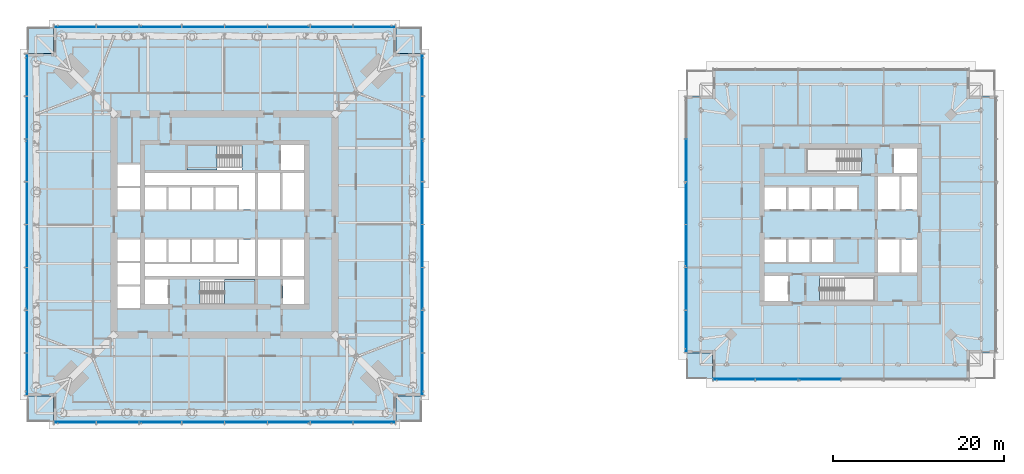
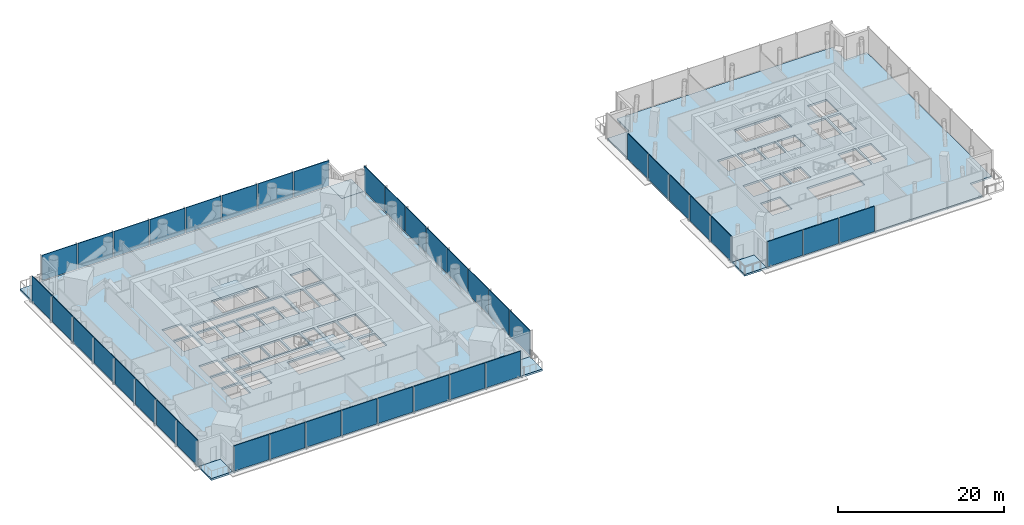
# One storey, part 8 of 28: 40 plates, 9 slabs, 8 elements without a shape of their own.
"""IFC4 building model written with IfcOpenShell, lengths in metres."""

from ifc_helpers import new_model, si_unit, direction, frame, origin, origin_2d, place, context, subcontext, project, spatial, polyline, rectangle, outline, extrude, material, layer, layer_set, type_object, element, aggregate, save


model = new_model("IFC4")

# Units and contexts
model_context = context("Model", 3, precision=1e-05, world=origin(), true_north=direction((0.0, 1.0)))
body_context = subcontext(model_context, "Body", "Model", "MODEL_VIEW")
ifc_project = project(units=[si_unit("LENGTHUNIT", "METRE"), si_unit("AREAUNIT", "SQUARE_METRE"), si_unit("VOLUMEUNIT", "CUBIC_METRE"), si_unit("PLANEANGLEUNIT", "RADIAN"), si_unit("MASSUNIT", "GRAM", prefix="KILO")], contexts=[model_context])

# Site, building, storey
site_placement = place(None, origin())
site = spatial("IfcSite", under=ifc_project, at=site_placement, CompositionType="ELEMENT")
building_placement = place(site_placement, origin())
building = spatial("IfcBuilding", under=site, at=building_placement, Name="Ostroluk Exchange", CompositionType="ELEMENT")
storey_placement = place(building_placement, frame((0.0, 0.0, 81.800048828125)))
storey = spatial("IfcBuildingStorey", under=building, at=storey_placement, Name="L20", CompositionType="ELEMENT", Elevation=81.800048828125)

# Curtain wall, plates
ifc_material_1 = material(Name="Laminated clear glass", Category="glass")
curtain_wall_type_1 = type_object("IfcCurtainWallType", Name="Office tower plant and sky lobby facade", PredefinedType="USERDEFINED", material=ifc_material_1)
curtain_wall_1_placement = place(storey_placement, origin())
curtain_wall_1 = element("IfcCurtainWall", 1, at=curtain_wall_1_placement, inside=storey, type_object=curtain_wall_type_1, Name="Office tower south facade L20", ObjectType="LOUVRED CURTAIN WALL", PredefinedType="USERDEFINED")
ifc_material_2 = material(Name="Aluminium louvre", Category="aluminium")
ifc_layer_1 = layer(ifc_material_2, 0.10009765625)
ifc_layer_set_1 = layer_set([ifc_layer_1], Name="Aluminium louvre panel 100")
plate_type = type_object("IfcPlateType", Name="Aluminium louvre panel 100", PredefinedType="USERDEFINED", material=ifc_layer_set_1)
plate_1_placement = place(storey_placement, frame((27.52001953125, 22.925048828125, 0.080078125), z_axis=(0.0, 0.0, 1.0), x_axis=(1.0, 0.0, 0.0)))
plate_1 = element("IfcPlate", 2, at=plate_1_placement, type_object=plate_type, Name="CW-P1 panel 1.1", ObjectType="LOUVRE PANEL", PredefinedType="USERDEFINED", context=body_context, shape_type="SweptSolid", body=[
    extrude(rectangle(XDim=4.8798828125, YDim=0.10009765625, at=origin_2d()), origin(), (0.0, 0.0, 1.0), 3.719970703125),
])
plate_2_placement = place(storey_placement, frame((32.5, 22.925048828125, 0.080078125), z_axis=(0.0, 0.0, 1.0), x_axis=(1.0, 0.0, 0.0)))
plate_2 = element("IfcPlate", 3, at=plate_2_placement, type_object=plate_type, Name="CW-P1 panel 2.1", ObjectType="LOUVRE PANEL", PredefinedType="USERDEFINED", context=body_context, shape_type="SweptSolid", body=[
    extrude(rectangle(XDim=4.919921875, YDim=0.10009765625, at=origin_2d()), origin(), (0.0, 0.0, 1.0), 3.719970703125),
])
plate_3_placement = place(storey_placement, frame((37.5, 22.925048828125, 0.080078125), z_axis=(0.0, 0.0, 1.0), x_axis=(1.0, 0.0, 0.0)))
plate_3 = element("IfcPlate", 4, at=plate_3_placement, type_object=plate_type, Name="CW-P1 panel 3.1", ObjectType="LOUVRE PANEL", PredefinedType="USERDEFINED", context=body_context, shape_type="SweptSolid", body=[
    extrude(rectangle(XDim=4.919921875, YDim=0.10009765625, at=origin_2d()), origin(), (0.0, 0.0, 1.0), 3.719970703125),
])
plate_4_placement = place(storey_placement, frame((42.5, 22.925048828125, 0.080078125), z_axis=(0.0, 0.0, 1.0), x_axis=(1.0, 0.0, 0.0)))
plate_4 = element("IfcPlate", 5, at=plate_4_placement, type_object=plate_type, Name="CW-P1 panel 4.1", ObjectType="LOUVRE PANEL", PredefinedType="USERDEFINED", context=body_context, shape_type="SweptSolid", body=[
    extrude(rectangle(XDim=4.919921875, YDim=0.10009765625, at=origin_2d()), origin(), (0.0, 0.0, 1.0), 3.719970703125),
])
plate_5_placement = place(storey_placement, frame((47.5, 22.925048828125, 0.080078125), z_axis=(0.0, 0.0, 1.0), x_axis=(1.0, 0.0, 0.0)))
plate_5 = element("IfcPlate", 6, at=plate_5_placement, type_object=plate_type, Name="CW-P1 panel 5.1", ObjectType="LOUVRE PANEL", PredefinedType="USERDEFINED", context=body_context, shape_type="SweptSolid", body=[
    extrude(rectangle(XDim=4.919921875, YDim=0.10009765625, at=origin_2d()), origin(), (0.0, 0.0, 1.0), 3.719970703125),
])
plate_6_placement = place(storey_placement, frame((52.5, 22.925048828125, 0.080078125), z_axis=(0.0, 0.0, 1.0), x_axis=(1.0, 0.0, 0.0)))
plate_6 = element("IfcPlate", 7, at=plate_6_placement, type_object=plate_type, Name="CW-P1 panel 6.1", ObjectType="LOUVRE PANEL", PredefinedType="USERDEFINED", context=body_context, shape_type="SweptSolid", body=[
    extrude(rectangle(XDim=4.919921875, YDim=0.10009765625, at=origin_2d()), origin(), (0.0, 0.0, 1.0), 3.719970703125),
])
plate_7_placement = place(storey_placement, frame((57.5, 22.925048828125, 0.080078125), z_axis=(0.0, 0.0, 1.0), x_axis=(1.0, 0.0, 0.0)))
plate_7 = element("IfcPlate", 8, at=plate_7_placement, type_object=plate_type, Name="CW-P1 panel 7.1", ObjectType="LOUVRE PANEL", PredefinedType="USERDEFINED", context=body_context, shape_type="SweptSolid", body=[
    extrude(rectangle(XDim=4.919921875, YDim=0.10009765625, at=origin_2d()), origin(), (0.0, 0.0, 1.0), 3.719970703125),
])
plate_8_placement = place(storey_placement, frame((62.47998046875, 22.925048828125, 0.080078125), z_axis=(0.0, 0.0, 1.0), x_axis=(1.0, 0.0, 0.0)))
plate_8 = element("IfcPlate", 9, at=plate_8_placement, type_object=plate_type, Name="CW-P1 panel 8.1", ObjectType="LOUVRE PANEL", PredefinedType="USERDEFINED", context=body_context, shape_type="SweptSolid", body=[
    extrude(rectangle(XDim=4.8798828125, YDim=0.10009765625, at=origin_2d()), origin(), (0.0, 0.0, 1.0), 3.719970703125),
])
aggregate(curtain_wall_1, [plate_1, plate_2, plate_3, plate_4, plate_5, plate_6, plate_7, plate_8])

curtain_wall_2_placement = place(storey_placement, origin())
curtain_wall_2 = element("IfcCurtainWall", 10, at=curtain_wall_2_placement, inside=storey, type_object=curtain_wall_type_1, Name="Office tower east facade L20", ObjectType="LOUVRED CURTAIN WALL", PredefinedType="USERDEFINED")
plate_9_placement = place(storey_placement, frame((68.074951171875, 28.52001953125, 0.080078125), z_axis=(0.0, 0.0, 1.0), x_axis=(0.0, 1.0, 0.0)))
plate_9 = element("IfcPlate", 11, at=plate_9_placement, type_object=plate_type, Name="CW-P1 panel 1.1", ObjectType="LOUVRE PANEL", PredefinedType="USERDEFINED", context=body_context, shape_type="SweptSolid", body=[
    extrude(rectangle(XDim=4.8798828125, YDim=0.10009765625, at=origin_2d()), origin(), (0.0, 0.0, 1.0), 3.719970703125),
])
plate_10_placement = place(storey_placement, frame((68.074951171875, 33.5, 0.080078125), z_axis=(0.0, 0.0, 1.0), x_axis=(0.0, 1.0, 0.0)))
plate_10 = element("IfcPlate", 12, at=plate_10_placement, type_object=plate_type, Name="CW-P1 panel 2.1", ObjectType="LOUVRE PANEL", PredefinedType="USERDEFINED", context=body_context, shape_type="SweptSolid", body=[
    extrude(rectangle(XDim=4.919921875, YDim=0.10009765625, at=origin_2d()), origin(), (0.0, 0.0, 1.0), 3.719970703125),
])
plate_11_placement = place(storey_placement, frame((68.074951171875, 38.5, 0.080078125), z_axis=(0.0, 0.0, 1.0), x_axis=(0.0, 1.0, 0.0)))
plate_11 = element("IfcPlate", 13, at=plate_11_placement, type_object=plate_type, Name="CW-P1 panel 3.1", ObjectType="LOUVRE PANEL", PredefinedType="USERDEFINED", context=body_context, shape_type="SweptSolid", body=[
    extrude(rectangle(XDim=4.919921875, YDim=0.10009765625, at=origin_2d()), origin(), (0.0, 0.0, 1.0), 3.719970703125),
])
plate_12_placement = place(storey_placement, frame((68.074951171875, 43.5, 0.080078125), z_axis=(0.0, 0.0, 1.0), x_axis=(0.0, 1.0, 0.0)))
plate_12 = element("IfcPlate", 14, at=plate_12_placement, type_object=plate_type, Name="CW-P1 panel 4.1", ObjectType="LOUVRE PANEL", PredefinedType="USERDEFINED", context=body_context, shape_type="SweptSolid", body=[
    extrude(rectangle(XDim=4.919921875, YDim=0.10009765625, at=origin_2d()), origin(), (0.0, 0.0, 1.0), 3.719970703125),
])
plate_13_placement = place(storey_placement, frame((68.074951171875, 48.5, 0.080078125), z_axis=(0.0, 0.0, 1.0), x_axis=(0.0, 1.0, 0.0)))
plate_13 = element("IfcPlate", 15, at=plate_13_placement, type_object=plate_type, Name="CW-P1 panel 5.1", ObjectType="LOUVRE PANEL", PredefinedType="USERDEFINED", context=body_context, shape_type="SweptSolid", body=[
    extrude(rectangle(XDim=4.919921875, YDim=0.10009765625, at=origin_2d()), origin(), (0.0, 0.0, 1.0), 3.719970703125),
])
plate_14_placement = place(storey_placement, frame((68.074951171875, 53.5, 0.080078125), z_axis=(0.0, 0.0, 1.0), x_axis=(0.0, 1.0, 0.0)))
plate_14 = element("IfcPlate", 16, at=plate_14_placement, type_object=plate_type, Name="CW-P1 panel 6.1", ObjectType="LOUVRE PANEL", PredefinedType="USERDEFINED", context=body_context, shape_type="SweptSolid", body=[
    extrude(rectangle(XDim=4.919921875, YDim=0.10009765625, at=origin_2d()), origin(), (0.0, 0.0, 1.0), 3.719970703125),
])
plate_15_placement = place(storey_placement, frame((68.074951171875, 58.5, 0.080078125), z_axis=(0.0, 0.0, 1.0), x_axis=(0.0, 1.0, 0.0)))
plate_15 = element("IfcPlate", 17, at=plate_15_placement, type_object=plate_type, Name="CW-P1 panel 7.1", ObjectType="LOUVRE PANEL", PredefinedType="USERDEFINED", context=body_context, shape_type="SweptSolid", body=[
    extrude(rectangle(XDim=4.919921875, YDim=0.10009765625, at=origin_2d()), origin(), (0.0, 0.0, 1.0), 3.719970703125),
])
plate_16_placement = place(storey_placement, frame((68.074951171875, 63.47998046875, 0.080078125), z_axis=(0.0, 0.0, 1.0), x_axis=(0.0, 1.0, 0.0)))
plate_16 = element("IfcPlate", 18, at=plate_16_placement, type_object=plate_type, Name="CW-P1 panel 8.1", ObjectType="LOUVRE PANEL", PredefinedType="USERDEFINED", context=body_context, shape_type="SweptSolid", body=[
    extrude(rectangle(XDim=4.8798828125, YDim=0.10009765625, at=origin_2d()), origin(), (0.0, 0.0, 1.0), 3.719970703125),
])
aggregate(curtain_wall_2, [plate_9, plate_10, plate_11, plate_12, plate_13, plate_14, plate_15, plate_16])

curtain_wall_3_placement = place(storey_placement, origin())
curtain_wall_3 = element("IfcCurtainWall", 19, at=curtain_wall_3_placement, inside=storey, type_object=curtain_wall_type_1, Name="Office tower north facade L20", ObjectType="LOUVRED CURTAIN WALL", PredefinedType="USERDEFINED")
plate_17_placement = place(storey_placement, frame((62.47998046875, 69.074951171875, 0.080078125), z_axis=(0.0, 0.0, 1.0), x_axis=(-1.0, 0.0, 0.0)))
plate_17 = element("IfcPlate", 20, at=plate_17_placement, type_object=plate_type, Name="CW-P1 panel 1.1", ObjectType="LOUVRE PANEL", PredefinedType="USERDEFINED", context=body_context, shape_type="SweptSolid", body=[
    extrude(rectangle(XDim=4.8798828125, YDim=0.10009765625, at=origin_2d()), origin(), (0.0, 0.0, 1.0), 3.719970703125),
])
plate_18_placement = place(storey_placement, frame((57.5, 69.074951171875, 0.080078125), z_axis=(0.0, 0.0, 1.0), x_axis=(-1.0, 0.0, 0.0)))
plate_18 = element("IfcPlate", 21, at=plate_18_placement, type_object=plate_type, Name="CW-P1 panel 2.1", ObjectType="LOUVRE PANEL", PredefinedType="USERDEFINED", context=body_context, shape_type="SweptSolid", body=[
    extrude(rectangle(XDim=4.919921875, YDim=0.10009765625, at=origin_2d()), origin(), (0.0, 0.0, 1.0), 3.719970703125),
])
plate_19_placement = place(storey_placement, frame((52.5, 69.074951171875, 0.080078125), z_axis=(0.0, 0.0, 1.0), x_axis=(-1.0, 0.0, 0.0)))
plate_19 = element("IfcPlate", 22, at=plate_19_placement, type_object=plate_type, Name="CW-P1 panel 3.1", ObjectType="LOUVRE PANEL", PredefinedType="USERDEFINED", context=body_context, shape_type="SweptSolid", body=[
    extrude(rectangle(XDim=4.919921875, YDim=0.10009765625, at=origin_2d()), origin(), (0.0, 0.0, 1.0), 3.719970703125),
])
plate_20_placement = place(storey_placement, frame((47.5, 69.074951171875, 0.080078125), z_axis=(0.0, 0.0, 1.0), x_axis=(-1.0, 0.0, 0.0)))
plate_20 = element("IfcPlate", 23, at=plate_20_placement, type_object=plate_type, Name="CW-P1 panel 4.1", ObjectType="LOUVRE PANEL", PredefinedType="USERDEFINED", context=body_context, shape_type="SweptSolid", body=[
    extrude(rectangle(XDim=4.919921875, YDim=0.10009765625, at=origin_2d()), origin(), (0.0, 0.0, 1.0), 3.719970703125),
])
plate_21_placement = place(storey_placement, frame((42.5, 69.074951171875, 0.080078125), z_axis=(0.0, 0.0, 1.0), x_axis=(-1.0, 0.0, 0.0)))
plate_21 = element("IfcPlate", 24, at=plate_21_placement, type_object=plate_type, Name="CW-P1 panel 5.1", ObjectType="LOUVRE PANEL", PredefinedType="USERDEFINED", context=body_context, shape_type="SweptSolid", body=[
    extrude(rectangle(XDim=4.919921875, YDim=0.10009765625, at=origin_2d()), origin(), (0.0, 0.0, 1.0), 3.719970703125),
])
plate_22_placement = place(storey_placement, frame((37.5, 69.074951171875, 0.080078125), z_axis=(0.0, 0.0, 1.0), x_axis=(-1.0, 0.0, 0.0)))
plate_22 = element("IfcPlate", 25, at=plate_22_placement, type_object=plate_type, Name="CW-P1 panel 6.1", ObjectType="LOUVRE PANEL", PredefinedType="USERDEFINED", context=body_context, shape_type="SweptSolid", body=[
    extrude(rectangle(XDim=4.919921875, YDim=0.10009765625, at=origin_2d()), origin(), (0.0, 0.0, 1.0), 3.719970703125),
])
plate_23_placement = place(storey_placement, frame((32.5, 69.074951171875, 0.080078125), z_axis=(0.0, 0.0, 1.0), x_axis=(-1.0, 0.0, 0.0)))
plate_23 = element("IfcPlate", 26, at=plate_23_placement, type_object=plate_type, Name="CW-P1 panel 7.1", ObjectType="LOUVRE PANEL", PredefinedType="USERDEFINED", context=body_context, shape_type="SweptSolid", body=[
    extrude(rectangle(XDim=4.919921875, YDim=0.10009765625, at=origin_2d()), origin(), (0.0, 0.0, 1.0), 3.719970703125),
])
plate_24_placement = place(storey_placement, frame((27.52001953125, 69.074951171875, 0.080078125), z_axis=(0.0, 0.0, 1.0), x_axis=(-1.0, 0.0, 0.0)))
plate_24 = element("IfcPlate", 27, at=plate_24_placement, type_object=plate_type, Name="CW-P1 panel 8.1", ObjectType="LOUVRE PANEL", PredefinedType="USERDEFINED", context=body_context, shape_type="SweptSolid", body=[
    extrude(rectangle(XDim=4.8798828125, YDim=0.10009765625, at=origin_2d()), origin(), (0.0, 0.0, 1.0), 3.719970703125),
])
aggregate(curtain_wall_3, [plate_17, plate_18, plate_19, plate_20, plate_21, plate_22, plate_23, plate_24])

curtain_wall_4_placement = place(storey_placement, origin())
curtain_wall_4 = element("IfcCurtainWall", 28, at=curtain_wall_4_placement, inside=storey, type_object=curtain_wall_type_1, Name="Office tower west facade L20", ObjectType="LOUVRED CURTAIN WALL", PredefinedType="USERDEFINED")
plate_25_placement = place(storey_placement, frame((21.925048828125, 63.47998046875, 0.080078125), z_axis=(0.0, 0.0, 1.0), x_axis=(0.0, -1.0, 0.0)))
plate_25 = element("IfcPlate", 29, at=plate_25_placement, type_object=plate_type, Name="CW-P1 panel 1.1", ObjectType="LOUVRE PANEL", PredefinedType="USERDEFINED", context=body_context, shape_type="SweptSolid", body=[
    extrude(rectangle(XDim=4.8798828125, YDim=0.10009765625, at=origin_2d()), origin(), (0.0, 0.0, 1.0), 3.719970703125),
])
plate_26_placement = place(storey_placement, frame((21.925048828125, 58.5, 0.080078125), z_axis=(0.0, 0.0, 1.0), x_axis=(0.0, -1.0, 0.0)))
plate_26 = element("IfcPlate", 30, at=plate_26_placement, type_object=plate_type, Name="CW-P1 panel 2.1", ObjectType="LOUVRE PANEL", PredefinedType="USERDEFINED", context=body_context, shape_type="SweptSolid", body=[
    extrude(rectangle(XDim=4.919921875, YDim=0.10009765625, at=origin_2d()), origin(), (0.0, 0.0, 1.0), 3.719970703125),
])
plate_27_placement = place(storey_placement, frame((21.925048828125, 53.5, 0.080078125), z_axis=(0.0, 0.0, 1.0), x_axis=(0.0, -1.0, 0.0)))
plate_27 = element("IfcPlate", 31, at=plate_27_placement, type_object=plate_type, Name="CW-P1 panel 3.1", ObjectType="LOUVRE PANEL", PredefinedType="USERDEFINED", context=body_context, shape_type="SweptSolid", body=[
    extrude(rectangle(XDim=4.919921875, YDim=0.10009765625, at=origin_2d()), origin(), (0.0, 0.0, 1.0), 3.719970703125),
])
plate_28_placement = place(storey_placement, frame((21.925048828125, 48.5, 0.080078125), z_axis=(0.0, 0.0, 1.0), x_axis=(0.0, -1.0, 0.0)))
plate_28 = element("IfcPlate", 32, at=plate_28_placement, type_object=plate_type, Name="CW-P1 panel 4.1", ObjectType="LOUVRE PANEL", PredefinedType="USERDEFINED", context=body_context, shape_type="SweptSolid", body=[
    extrude(rectangle(XDim=4.919921875, YDim=0.10009765625, at=origin_2d()), origin(), (0.0, 0.0, 1.0), 3.719970703125),
])
plate_29_placement = place(storey_placement, frame((21.925048828125, 43.5, 0.080078125), z_axis=(0.0, 0.0, 1.0), x_axis=(0.0, -1.0, 0.0)))
plate_29 = element("IfcPlate", 33, at=plate_29_placement, type_object=plate_type, Name="CW-P1 panel 5.1", ObjectType="LOUVRE PANEL", PredefinedType="USERDEFINED", context=body_context, shape_type="SweptSolid", body=[
    extrude(rectangle(XDim=4.919921875, YDim=0.10009765625, at=origin_2d()), origin(), (0.0, 0.0, 1.0), 3.719970703125),
])
plate_30_placement = place(storey_placement, frame((21.925048828125, 38.5, 0.080078125), z_axis=(0.0, 0.0, 1.0), x_axis=(0.0, -1.0, 0.0)))
plate_30 = element("IfcPlate", 34, at=plate_30_placement, type_object=plate_type, Name="CW-P1 panel 6.1", ObjectType="LOUVRE PANEL", PredefinedType="USERDEFINED", context=body_context, shape_type="SweptSolid", body=[
    extrude(rectangle(XDim=4.919921875, YDim=0.10009765625, at=origin_2d()), origin(), (0.0, 0.0, 1.0), 3.719970703125),
])
plate_31_placement = place(storey_placement, frame((21.925048828125, 33.5, 0.080078125), z_axis=(0.0, 0.0, 1.0), x_axis=(0.0, -1.0, 0.0)))
plate_31 = element("IfcPlate", 35, at=plate_31_placement, type_object=plate_type, Name="CW-P1 panel 7.1", ObjectType="LOUVRE PANEL", PredefinedType="USERDEFINED", context=body_context, shape_type="SweptSolid", body=[
    extrude(rectangle(XDim=4.919921875, YDim=0.10009765625, at=origin_2d()), origin(), (0.0, 0.0, 1.0), 3.719970703125),
])
plate_32_placement = place(storey_placement, frame((21.925048828125, 28.52001953125, 0.080078125), z_axis=(0.0, 0.0, 1.0), x_axis=(0.0, -1.0, 0.0)))
plate_32 = element("IfcPlate", 36, at=plate_32_placement, type_object=plate_type, Name="CW-P1 panel 8.1", ObjectType="LOUVRE PANEL", PredefinedType="USERDEFINED", context=body_context, shape_type="SweptSolid", body=[
    extrude(rectangle(XDim=4.8798828125, YDim=0.10009765625, at=origin_2d()), origin(), (0.0, 0.0, 1.0), 3.719970703125),
])
aggregate(curtain_wall_4, [plate_25, plate_26, plate_27, plate_28, plate_29, plate_30, plate_31, plate_32])

ifc_material_3 = material(Name="Laminated clear glass", Category="glass")
curtain_wall_type_2 = type_object("IfcCurtainWallType", Name="Hotel amenity and plant facade", PredefinedType="USERDEFINED", material=ifc_material_3)
curtain_wall_5_placement = place(storey_placement, origin())
curtain_wall_5 = element("IfcCurtainWall", 37, at=curtain_wall_5_placement, inside=storey, type_object=curtain_wall_type_2, Name="Hotel tower south facade L20", ObjectType="LOUVRED CURTAIN WALL", PredefinedType="USERDEFINED")
plate_33_placement = place(storey_placement, frame((104.52001953125, 27.925048828125, 0.080078125), z_axis=(0.0, 0.0, 1.0), x_axis=(1.0, 0.0, 0.0)))
plate_33 = element("IfcPlate", 38, at=plate_33_placement, type_object=plate_type, Name="CW-H2 panel 1.1", ObjectType="LOUVRE PANEL", PredefinedType="USERDEFINED", context=body_context, shape_type="SweptSolid", body=[
    extrude(rectangle(XDim=4.8798828125, YDim=0.10009765625, at=origin_2d()), origin(), (0.0, 0.0, 1.0), 3.719970703125),
])
plate_34_placement = place(storey_placement, frame((109.5, 27.925048828125, 0.080078125), z_axis=(0.0, 0.0, 1.0), x_axis=(1.0, 0.0, 0.0)))
plate_34 = element("IfcPlate", 39, at=plate_34_placement, type_object=plate_type, Name="CW-H2 panel 2.1", ObjectType="LOUVRE PANEL", PredefinedType="USERDEFINED", context=body_context, shape_type="SweptSolid", body=[
    extrude(rectangle(XDim=4.919921875, YDim=0.10009765625, at=origin_2d()), origin(), (0.0, 0.0, 1.0), 3.719970703125),
])
plate_35_placement = place(storey_placement, frame((114.5, 27.925048828125, 0.080078125), z_axis=(0.0, 0.0, 1.0), x_axis=(1.0, 0.0, 0.0)))
plate_35 = element("IfcPlate", 40, at=plate_35_placement, type_object=plate_type, Name="CW-H2 panel 3.1", ObjectType="LOUVRE PANEL", PredefinedType="USERDEFINED", context=body_context, shape_type="SweptSolid", body=[
    extrude(rectangle(XDim=4.919921875, YDim=0.10009765625, at=origin_2d()), origin(), (0.0, 0.0, 1.0), 3.719970703125),
])
aggregate(curtain_wall_5, [plate_33, plate_34, plate_35])

curtain_wall_6_placement = place(storey_placement, origin())
curtain_wall_6 = element("IfcCurtainWall", 41, at=curtain_wall_6_placement, inside=storey, type_object=curtain_wall_type_2, Name="Hotel tower west facade L20", ObjectType="LOUVRED CURTAIN WALL", PredefinedType="USERDEFINED")
plate_36_placement = place(storey_placement, frame((98.925048828125, 53.5, 0.080078125), z_axis=(0.0, 0.0, 1.0), x_axis=(0.0, -1.0, 0.0)))
plate_36 = element("IfcPlate", 42, at=plate_36_placement, type_object=plate_type, Name="CW-H2 panel 2.1", ObjectType="LOUVRE PANEL", PredefinedType="USERDEFINED", context=body_context, shape_type="SweptSolid", body=[
    extrude(rectangle(XDim=4.919921875, YDim=0.10009765625, at=origin_2d()), origin(), (0.0, 0.0, 1.0), 3.719970703125),
])
plate_37_placement = place(storey_placement, frame((98.925048828125, 48.5, 0.080078125), z_axis=(0.0, 0.0, 1.0), x_axis=(0.0, -1.0, 0.0)))
plate_37 = element("IfcPlate", 43, at=plate_37_placement, type_object=plate_type, Name="CW-H2 panel 3.1", ObjectType="LOUVRE PANEL", PredefinedType="USERDEFINED", context=body_context, shape_type="SweptSolid", body=[
    extrude(rectangle(XDim=4.919921875, YDim=0.10009765625, at=origin_2d()), origin(), (0.0, 0.0, 1.0), 3.719970703125),
])
plate_38_placement = place(storey_placement, frame((98.925048828125, 43.5, 0.080078125), z_axis=(0.0, 0.0, 1.0), x_axis=(0.0, -1.0, 0.0)))
plate_38 = element("IfcPlate", 44, at=plate_38_placement, type_object=plate_type, Name="CW-H2 panel 4.1", ObjectType="LOUVRE PANEL", PredefinedType="USERDEFINED", context=body_context, shape_type="SweptSolid", body=[
    extrude(rectangle(XDim=4.919921875, YDim=0.10009765625, at=origin_2d()), origin(), (0.0, 0.0, 1.0), 3.719970703125),
])
plate_39_placement = place(storey_placement, frame((98.925048828125, 38.5, 0.080078125), z_axis=(0.0, 0.0, 1.0), x_axis=(0.0, -1.0, 0.0)))
plate_39 = element("IfcPlate", 45, at=plate_39_placement, type_object=plate_type, Name="CW-H2 panel 5.1", ObjectType="LOUVRE PANEL", PredefinedType="USERDEFINED", context=body_context, shape_type="SweptSolid", body=[
    extrude(rectangle(XDim=4.919921875, YDim=0.10009765625, at=origin_2d()), origin(), (0.0, 0.0, 1.0), 3.719970703125),
])
plate_40_placement = place(storey_placement, frame((98.925048828125, 33.52001953125, 0.080078125), z_axis=(0.0, 0.0, 1.0), x_axis=(0.0, -1.0, 0.0)))
plate_40 = element("IfcPlate", 46, at=plate_40_placement, type_object=plate_type, Name="CW-H2 panel 6.1", ObjectType="LOUVRE PANEL", PredefinedType="USERDEFINED", context=body_context, shape_type="SweptSolid", body=[
    extrude(rectangle(XDim=4.8798828125, YDim=0.10009765625, at=origin_2d()), origin(), (0.0, 0.0, 1.0), 3.719970703125),
])
aggregate(curtain_wall_6, [plate_36, plate_37, plate_38, plate_39, plate_40])

# Slabs
ifc_material_4 = material(Name="Concrete C35/45", Category="concrete")
ifc_layer_2 = layer(ifc_material_4, 0.280029296875)
ifc_layer_set_2 = layer_set([ifc_layer_2], Name="Maintenance platform slab 280")
slab_type_1 = type_object("IfcSlabType", Name="Maintenance platform slab 280", PredefinedType="USERDEFINED", material=ifc_layer_set_2)
slab_1_placement = place(storey_placement, frame((0.0, 0.0, -0.280029296875)))
element("IfcSlab", 47, at=slab_1_placement, inside=storey, type_object=slab_type_1, Name="Office tower SE maintenance platform L20", ObjectType="MAINTENANCE PLATFORM", PredefinedType="USERDEFINED", context=body_context, shape_type="SweptSolid", body=[
    extrude(outline(polyline([(65.0, 23.0), (68.0, 23.0), (68.0, 26.0), (65.0, 26.0), (65.0, 23.0)])), origin(), (0.0, 0.0, 1.0), 0.280029296875),
])
slab_2_placement = place(storey_placement, frame((0.0, 0.0, -0.280029296875)))
element("IfcSlab", 48, at=slab_2_placement, inside=storey, type_object=slab_type_1, Name="Office tower NE maintenance platform L20", ObjectType="MAINTENANCE PLATFORM", PredefinedType="USERDEFINED", context=body_context, shape_type="SweptSolid", body=[
    extrude(outline(polyline([(65.0, 66.0), (68.0, 66.0), (68.0, 69.0), (65.0, 69.0), (65.0, 66.0)])), origin(), (0.0, 0.0, 1.0), 0.280029296875),
])
slab_3_placement = place(storey_placement, frame((0.0, 0.0, -0.280029296875)))
element("IfcSlab", 49, at=slab_3_placement, inside=storey, type_object=slab_type_1, Name="Office tower NW maintenance platform L20", ObjectType="MAINTENANCE PLATFORM", PredefinedType="USERDEFINED", context=body_context, shape_type="SweptSolid", body=[
    extrude(outline(polyline([(22.0, 66.0), (25.0, 66.0), (25.0, 69.0), (22.0, 69.0), (22.0, 66.0)])), origin(), (0.0, 0.0, 1.0), 0.280029296875),
])
slab_4_placement = place(storey_placement, frame((0.0, 0.0, -0.280029296875)))
element("IfcSlab", 50, at=slab_4_placement, inside=storey, type_object=slab_type_1, Name="Office tower SW maintenance platform L20", ObjectType="MAINTENANCE PLATFORM", PredefinedType="USERDEFINED", context=body_context, shape_type="SweptSolid", body=[
    extrude(outline(polyline([(22.0, 23.0), (25.0, 23.0), (25.0, 26.0), (22.0, 26.0), (22.0, 23.0)])), origin(), (0.0, 0.0, 1.0), 0.280029296875),
])
slab_5_placement = place(storey_placement, frame((0.0, 0.0, -0.280029296875)))
element("IfcSlab", 51, at=slab_5_placement, inside=storey, type_object=slab_type_1, Name="Hotel tower SW maintenance platform L20", ObjectType="MAINTENANCE PLATFORM", PredefinedType="USERDEFINED", context=body_context, shape_type="SweptSolid", body=[
    extrude(outline(polyline([(99.0, 28.0), (102.0, 28.0), (102.0, 31.0), (99.0, 31.0), (99.0, 28.0)])), origin(), (0.0, 0.0, 1.0), 0.280029296875),
])

# Stair, slab
ifc_material_5 = material(Name="Concrete C30/37", Category="concrete")
stair_type = type_object("IfcStairType", Name="Exit stair half turn 3800", PredefinedType="HALF_TURN_STAIR", material=ifc_material_5)
stair_1_placement = place(storey_placement, origin())
stair_1 = element("IfcStair", 52, at=stair_1_placement, inside=storey, type_object=stair_type, Name="Stair T1-S1 L20", PredefinedType="HALF_TURN_STAIR")
ifc_material_6 = material(Name="Concrete C30/37", Category="concrete")
ifc_layer_3 = layer(ifc_material_6, 0.199951171875)
ifc_layer_set_3 = layer_set([ifc_layer_3], Name="Stair landing 200")
slab_type_2 = type_object("IfcSlabType", Name="Stair landing 200", PredefinedType="LANDING", material=ifc_layer_set_3)
slab_6_placement = place(storey_placement, frame((0.0, 0.0, 1.699951171875)))
slab_6 = element("IfcSlab", 53, at=slab_6_placement, type_object=slab_type_2, Name="T1-S1 landing 1", PredefinedType="LANDING", context=body_context, shape_type="SweptSolid", body=[
    extrude(outline(polyline([(45.0, 36.699951171875), (45.0, 39.60009765625), (48.530029296875, 39.60009765625), (48.530029296875, 36.699951171875), (45.0, 36.699951171875)])), origin(), (0.0, 0.0, 1.0), 0.199951171875),
])
aggregate(stair_1, [slab_6])

stair_2_placement = place(storey_placement, origin())
stair_2 = element("IfcStair", 54, at=stair_2_placement, inside=storey, type_object=stair_type, Name="Stair T1-S2 L20", PredefinedType="HALF_TURN_STAIR")
slab_7_placement = place(storey_placement, frame((0.0, 0.0, 1.699951171875)))
slab_7 = element("IfcSlab", 55, at=slab_7_placement, type_object=slab_type_2, Name="T1-S2 landing 1", PredefinedType="LANDING", context=body_context, shape_type="SweptSolid", body=[
    extrude(outline(polyline([(44.1298828125, 52.39990234375), (44.1298828125, 55.300048828125), (40.60009765625, 55.300048828125), (40.60009765625, 52.39990234375), (44.1298828125, 52.39990234375)])), origin(), (0.0, 0.0, 1.0), 0.199951171875),
])
aggregate(stair_2, [slab_7])

# Slabs
ifc_material_7 = material(Name="Concrete C35/45", Category="concrete")
ifc_layer_4 = layer(ifc_material_7, 0.280029296875)
ifc_layer_set_4 = layer_set([ifc_layer_4], Name="Tower floor slab 280")
slab_type_3 = type_object("IfcSlabType", Name="Tower floor slab 280", PredefinedType="FLOOR", material=ifc_layer_set_4)
slab_8_placement = place(storey_placement, frame((0.0, 0.0, -0.280029296875)))
element("IfcSlab", 56, at=slab_8_placement, inside=storey, type_object=slab_type_3, Name="Office tower floor slab L20", PredefinedType="FLOOR", context=body_context, shape_type="SweptSolid", body=[
    extrude(outline(polyline([(25.0, 23.0), (65.0, 23.0), (65.0, 26.0), (68.0, 26.0), (68.0, 66.0), (65.0, 66.0), (65.0, 69.0), (25.0, 69.0), (25.0, 66.0), (22.0, 66.0), (22.0, 26.0), (25.0, 26.0), (25.0, 23.0)]), holes=[polyline([(35.699951171875, 36.699951171875), (38.39990234375, 36.699951171875), (38.39990234375, 39.60009765625), (35.699951171875, 39.60009765625), (35.699951171875, 36.699951171875)]), polyline([(42.110107421875, 36.699951171875), (48.530029296875, 36.699951171875), (48.530029296875, 39.60009765625), (42.110107421875, 39.60009765625), (42.110107421875, 36.699951171875)]), polyline([(51.800048828125, 36.699951171875), (54.300048828125, 36.699951171875), (54.300048828125, 39.60009765625), (51.800048828125, 39.60009765625), (51.800048828125, 36.699951171875)]), polyline([(40.60009765625, 52.39990234375), (47.02001953125, 52.39990234375), (47.02001953125, 55.300048828125), (40.60009765625, 55.300048828125), (40.60009765625, 52.39990234375)]), polyline([(51.60009765625, 52.39990234375), (54.300048828125, 52.39990234375), (54.300048828125, 55.300048828125), (51.60009765625, 55.300048828125), (51.60009765625, 52.39990234375)]), polyline([(35.699951171875, 47.75), (38.199951171875, 47.75), (38.199951171875, 50.35009765625), (35.699951171875, 50.35009765625), (35.699951171875, 47.75)]), polyline([(38.449951171875, 47.75), (40.949951171875, 47.75), (40.949951171875, 50.35009765625), (38.449951171875, 50.35009765625), (38.449951171875, 47.75)]), polyline([(41.199951171875, 47.75), (43.699951171875, 47.75), (43.699951171875, 50.35009765625), (41.199951171875, 50.35009765625), (41.199951171875, 47.75)]), polyline([(43.949951171875, 47.75), (46.449951171875, 47.75), (46.449951171875, 50.35009765625), (43.949951171875, 50.35009765625), (43.949951171875, 47.75)]), polyline([(35.699951171875, 41.64990234375), (38.199951171875, 41.64990234375), (38.199951171875, 44.25), (35.699951171875, 44.25), (35.699951171875, 41.64990234375)]), polyline([(38.449951171875, 41.64990234375), (40.949951171875, 41.64990234375), (40.949951171875, 44.25), (38.449951171875, 44.25), (38.449951171875, 41.64990234375)]), polyline([(41.199951171875, 41.64990234375), (43.699951171875, 41.64990234375), (43.699951171875, 44.25), (41.199951171875, 44.25), (41.199951171875, 41.64990234375)]), polyline([(43.949951171875, 41.64990234375), (46.449951171875, 41.64990234375), (46.449951171875, 44.25), (43.949951171875, 44.25), (43.949951171875, 41.64990234375)]), polyline([(48.929931640625, 47.75), (51.489990234375, 47.75), (51.489990234375, 52.0), (48.929931640625, 52.0), (48.929931640625, 47.75)]), polyline([(51.739990234375, 47.75), (54.300048828125, 47.75), (54.300048828125, 52.0), (51.739990234375, 52.0), (51.739990234375, 47.75)]), polyline([(48.929931640625, 40.0), (51.489990234375, 40.0), (51.489990234375, 44.25), (48.929931640625, 44.25), (48.929931640625, 40.0)]), polyline([(51.739990234375, 40.0), (54.300048828125, 40.0), (54.300048828125, 44.25), (51.739990234375, 44.25), (51.739990234375, 40.0)]), polyline([(48.530029296875, 52.0), (48.530029296875, 47.75), (46.699951171875, 47.75), (46.699951171875, 50.60009765625), (35.699951171875, 50.60009765625), (35.699951171875, 52.0), (48.530029296875, 52.0)]), polyline([(35.699951171875, 40.0), (35.699951171875, 41.39990234375), (46.699951171875, 41.39990234375), (46.699951171875, 44.25), (48.530029296875, 44.25), (48.530029296875, 40.0), (35.699951171875, 40.0)]), polyline([(32.5, 36.25), (35.10009765625, 36.25), (35.10009765625, 38.75), (32.5, 38.75), (32.5, 36.25)]), polyline([(32.5, 39.0), (35.10009765625, 39.0), (35.10009765625, 41.5), (32.5, 41.5), (32.5, 39.0)]), polyline([(32.5, 41.75), (35.10009765625, 41.75), (35.10009765625, 44.25), (32.5, 44.25), (32.5, 41.75)]), polyline([(32.5, 47.75), (35.10009765625, 47.75), (35.10009765625, 50.25), (32.5, 50.25), (32.5, 47.75)]), polyline([(32.5, 50.5), (35.10009765625, 50.5), (35.10009765625, 53.0), (32.5, 53.0), (32.5, 50.5)])]), origin(), (0.0, 0.0, 1.0), 0.280029296875),
])
slab_9_placement = place(storey_placement, frame((0.0, 0.0, -0.280029296875)))
element("IfcSlab", 57, at=slab_9_placement, inside=storey, type_object=slab_type_3, Name="Hotel tower floor slab L20", PredefinedType="FLOOR", context=body_context, shape_type="SweptSolid", body=[
    extrude(outline(polyline([(102.0, 28.0), (132.0, 28.0), (132.0, 31.0), (135.0, 31.0), (135.0, 61.0), (132.0, 61.0), (132.0, 64.0), (102.0, 64.0), (102.0, 61.0), (99.0, 61.0), (99.0, 31.0), (102.0, 31.0), (102.0, 28.0)]), holes=[polyline([(108.10009765625, 37.10009765625), (110.800048828125, 37.10009765625), (110.800048828125, 40.0), (108.10009765625, 40.0), (108.10009765625, 37.10009765625)]), polyline([(114.510009765625, 37.10009765625), (120.929931640625, 37.10009765625), (120.929931640625, 40.0), (114.510009765625, 40.0), (114.510009765625, 37.10009765625)]), polyline([(113.0, 52.0), (119.419921875, 52.0), (119.419921875, 54.89990234375), (113.0, 54.89990234375), (113.0, 52.0)]), polyline([(123.199951171875, 52.0), (125.89990234375, 52.0), (125.89990234375, 54.89990234375), (123.199951171875, 54.89990234375), (123.199951171875, 52.0)]), polyline([(108.10009765625, 47.75), (110.60009765625, 47.75), (110.60009765625, 50.35009765625), (108.10009765625, 50.35009765625), (108.10009765625, 47.75)]), polyline([(110.85009765625, 47.75), (113.35009765625, 47.75), (113.35009765625, 50.35009765625), (110.85009765625, 50.35009765625), (110.85009765625, 47.75)]), polyline([(113.60009765625, 47.75), (116.10009765625, 47.75), (116.10009765625, 50.35009765625), (113.60009765625, 50.35009765625), (113.60009765625, 47.75)]), polyline([(116.35009765625, 47.75), (118.85009765625, 47.75), (118.85009765625, 50.35009765625), (116.35009765625, 50.35009765625), (116.35009765625, 47.75)]), polyline([(108.10009765625, 41.64990234375), (110.60009765625, 41.64990234375), (110.60009765625, 44.25), (108.10009765625, 44.25), (108.10009765625, 41.64990234375)]), polyline([(110.85009765625, 41.64990234375), (113.35009765625, 41.64990234375), (113.35009765625, 44.25), (110.85009765625, 44.25), (110.85009765625, 41.64990234375)]), polyline([(113.60009765625, 41.64990234375), (116.10009765625, 41.64990234375), (116.10009765625, 44.25), (113.60009765625, 44.25), (113.60009765625, 41.64990234375)]), polyline([(121.330078125, 47.75), (123.830078125, 47.75), (123.830078125, 51.60009765625), (121.330078125, 51.60009765625), (121.330078125, 47.75)]), polyline([(121.330078125, 40.39990234375), (123.830078125, 40.39990234375), (123.830078125, 44.25), (121.330078125, 44.25), (121.330078125, 40.39990234375)]), polyline([(124.080078125, 47.75), (125.89990234375, 47.75), (125.89990234375, 51.60009765625), (124.080078125, 51.60009765625), (124.080078125, 47.75)]), polyline([(124.080078125, 40.39990234375), (125.89990234375, 40.39990234375), (125.89990234375, 44.25), (124.080078125, 44.25), (124.080078125, 40.39990234375)])]), origin(), (0.0, 0.0, 1.0), 0.280029296875),
])

save(model, "model.ifc")
